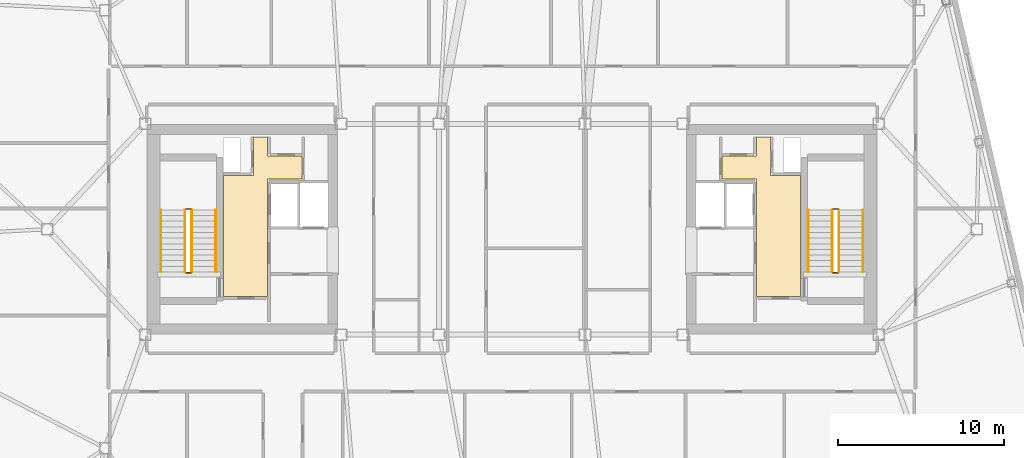
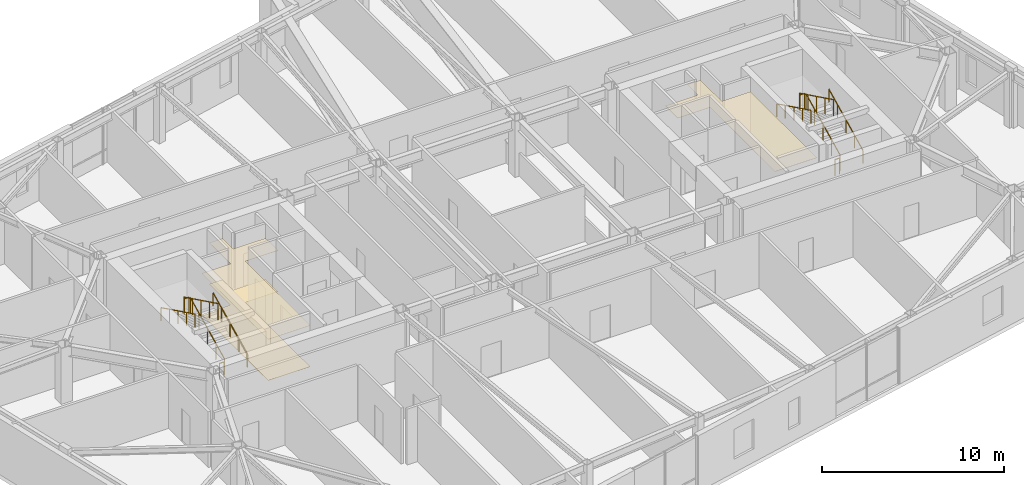
# One storey, part 22 of 22: 12 railings, 3 coverings.
"""IFC4 building model written with IfcOpenShell, lengths in metres."""

from ifc_helpers import new_model, si_unit, direction, frame, origin, origin_2d, place, context, subcontext, project, spatial, polyline, rectangle, outline, extrude, material, layer, layer_set, type_object, element, save


model = new_model("IFC4")

# Units and contexts
model_context = context("Model", 3, precision=1e-05, world=origin(), true_north=direction((0.0, 1.0)))
body_context = subcontext(model_context, "Body", "Model", "MODEL_VIEW")
ifc_project = project(units=[si_unit("LENGTHUNIT", "METRE"), si_unit("AREAUNIT", "SQUARE_METRE"), si_unit("VOLUMEUNIT", "CUBIC_METRE"), si_unit("PLANEANGLEUNIT", "RADIAN"), si_unit("MASSUNIT", "GRAM", prefix="KILO")], contexts=[model_context])

# Site, building, storey
site_placement = place(None, origin())
site = spatial("IfcSite", under=ifc_project, at=site_placement, CompositionType="ELEMENT")
building_placement = place(site_placement, origin())
building = spatial("IfcBuilding", under=site, at=building_placement, Name="Tavrogorsk Clinical Tower", CompositionType="ELEMENT")
storey_placement = place(building_placement, frame((0.0, 0.0, 313.0)))
storey = spatial("IfcBuildingStorey", under=building, at=storey_placement, Name="L73", CompositionType="ELEMENT", Elevation=313.0)

# Coverings
ifc_material_1 = material(Name="Antibacterial micro-perforated aluminium ceiling", Category="aluminium")
ifc_layer_1 = layer(ifc_material_1, 0.014892578125)
ifc_layer_set_1 = layer_set([ifc_layer_1], Name="Antibacterial micro-perforated aluminium ceiling")
covering_type_1 = type_object("IfcCoveringType", Name="ClinicalCeiling_15", PredefinedType="CEILING", material=ifc_layer_set_1)
covering_1_placement = place(storey_placement, frame((0.0, 0.0, 2.75)))
element("IfcCovering", 1, at=covering_1_placement, inside=storey, type_object=covering_type_1, Name="Core West Firefighting Lift Lobby Acoustic Ceiling", PredefinedType="CEILING", context=body_context, shape_type="SweptSolid", body=[
    extrude(outline(polyline([(-17.3798828125, -4.06005859375), (-17.3798828125, 3.239990234375), (-15.56005859375, 3.239990234375), (-15.56005859375, 5.56005859375), (-14.719970703125, 5.56005859375), (-14.719970703125, 4.39990234375), (-12.659912109375, 4.39990234375), (-12.659912109375, 3.0400390625), (-14.719970703125, 3.0400390625), (-14.719970703125, -4.06005859375), (-17.3798828125, -4.06005859375)])), origin(), (0.0, 0.0, 1.0), 0.014892578125),
])
covering_2_placement = place(storey_placement, frame((0.0, 0.0, 2.75)))
element("IfcCovering", 2, at=covering_2_placement, inside=storey, type_object=covering_type_1, Name="Core East Firefighting Lift Lobby Acoustic Ceiling", PredefinedType="CEILING", context=body_context, shape_type="SweptSolid", body=[
    extrude(outline(polyline([(14.719970703125, 3.0400390625), (12.659912109375, 3.0400390625), (12.659912109375, 4.39990234375), (14.719970703125, 4.39990234375), (14.719970703125, 5.56005859375), (15.56005859375, 5.56005859375), (15.56005859375, 3.239990234375), (17.3798828125, 3.239990234375), (17.3798828125, -4.06005859375), (14.719970703125, -4.06005859375), (14.719970703125, 3.0400390625)])), origin(), (0.0, 0.0, 1.0), 0.014892578125),
])
ifc_material_2 = material(Name="Homogeneous medical conductive PVC flooring")
ifc_layer_2 = layer(ifc_material_2, 0.008056640625)
ifc_layer_set_2 = layer_set([ifc_layer_2], Name="Homogeneous medical conductive PVC flooring")
covering_type_2 = type_object("IfcCoveringType", Name="ResilientVinylFloor_8", PredefinedType="FLOORING", material=ifc_layer_set_2)
covering_3_placement = place(storey_placement, origin())
element("IfcCovering", 3, at=covering_3_placement, inside=storey, type_object=covering_type_2, Name="Core West Firefighting Lift Lobby Conductive Vinyl Flooring", PredefinedType="FLOORING", context=body_context, shape_type="SweptSolid", body=[
    extrude(outline(polyline([(-17.3798828125, -4.06005859375), (-17.3798828125, 3.239990234375), (-15.56005859375, 3.239990234375), (-15.56005859375, 5.56005859375), (-14.719970703125, 5.56005859375), (-14.719970703125, 4.39990234375), (-12.659912109375, 4.39990234375), (-12.659912109375, 3.0400390625), (-14.719970703125, 3.0400390625), (-14.719970703125, -4.06005859375), (-17.3798828125, -4.06005859375)])), origin(), (0.0, 0.0, 1.0), 0.008056640625),
])

# Railings
ifc_material_3 = material(Name="Galvanised steel S355 safety stairwell guard", Category="steel")
ifc_layer_3 = layer(ifc_material_3, 0.06005859375)
ifc_layer_set_3 = layer_set([ifc_layer_3], Name="Galvanised steel S355 safety stairwell guard")
railing_type_1 = type_object("IfcRailingType", Name="StairGuard_1150", PredefinedType="GUARDRAIL", material=ifc_layer_set_3)
railing_1_placement = place(storey_placement, frame((-19.300048828125, -2.574951171875, 0.166748046875)))
element("IfcRailing", 4, at=railing_1_placement, inside=storey, type_object=railing_type_1, Name="L73 ST-W stair guard 1", PredefinedType="GUARDRAIL", context=body_context, shape_type="SweptSolid", body=[
    extrude(rectangle(XDim=0.048095703125, YDim=0.048095703125, at=origin_2d()), frame((0.0, 0.0, 1.076171875), z_axis=(0.0, 0.897927990467, 0.440142390523), x_axis=(-1.0, 0.0, 0.0)), (0.0, 0.0, 1.0), 4.1650390625),
    extrude(rectangle(XDim=0.0419921875, YDim=0.0419921875, at=origin_2d()), origin(), (0.0, 0.0, 1.0), 1.052001953125),
    extrude(rectangle(XDim=0.0419921875, YDim=0.0419921875, at=origin_2d()), frame((0.0, 0.93505859375, 0.458251953125)), (0.0, 0.0, 1.0), 1.052001953125),
    extrude(rectangle(XDim=0.0419921875, YDim=0.0419921875, at=origin_2d()), frame((0.0, 1.8701171875, 0.91650390625)), (0.0, 0.0, 1.0), 1.052001953125),
    extrude(rectangle(XDim=0.0419921875, YDim=0.0419921875, at=origin_2d()), frame((0.0, 2.804931640625, 1.375)), (0.0, 0.0, 1.0), 1.052001953125),
    extrude(rectangle(XDim=0.0419921875, YDim=0.0419921875, at=origin_2d()), frame((0.0, 3.739990234375, 1.833251953125)), (0.0, 0.0, 1.0), 1.052001953125),
])
railing_2_placement = place(storey_placement, frame((-19.35009765625, 1.215087890625, 2.0)))
element("IfcRailing", 5, at=railing_2_placement, inside=storey, type_object=railing_type_1, Name="L73 ST-W stair guard 2", PredefinedType="GUARDRAIL", context=body_context, shape_type="SweptSolid", body=[
    extrude(rectangle(XDim=0.048095703125, YDim=0.048095703125, at=origin_2d()), frame((0.0, 0.0, 1.076171875), z_axis=(-1.0, 0.0, 0.0), x_axis=(0.0, -1.0, 0.0)), (0.0, 0.0, 1.0), 0.2998046875),
    extrude(rectangle(XDim=0.0419921875, YDim=0.0419921875, at=origin_2d()), origin(), (0.0, 0.0, 1.0), 1.052001953125),
    extrude(rectangle(XDim=0.0419921875, YDim=0.0419921875, at=origin_2d()), frame((-0.2998046875, 0.0, 0.0)), (0.0, 0.0, 1.0), 1.052001953125),
])
railing_3_placement = place(storey_placement, frame((-19.699951171875, 1.1650390625, 2.166748046875)))
element("IfcRailing", 6, at=railing_3_placement, inside=storey, type_object=railing_type_1, Name="L73 ST-W stair guard 3", PredefinedType="GUARDRAIL", context=body_context, shape_type="SweptSolid", body=[
    extrude(rectangle(XDim=0.048095703125, YDim=0.048095703125, at=origin_2d()), frame((0.0, 0.0, 1.076171875), z_axis=(0.0, -0.897927990467, 0.440142390523), x_axis=(1.0, 0.0, 0.0)), (0.0, 0.0, 1.0), 4.1650390625),
    extrude(rectangle(XDim=0.0419921875, YDim=0.0419921875, at=origin_2d()), origin(), (0.0, 0.0, 1.0), 1.052001953125),
    extrude(rectangle(XDim=0.0419921875, YDim=0.0419921875, at=origin_2d()), frame((0.0, -0.93505859375, 0.458251953125)), (0.0, 0.0, 1.0), 1.052001953125),
    extrude(rectangle(XDim=0.0419921875, YDim=0.0419921875, at=origin_2d()), frame((0.0, -1.8701171875, 0.91650390625)), (0.0, 0.0, 1.0), 1.052001953125),
    extrude(rectangle(XDim=0.0419921875, YDim=0.0419921875, at=origin_2d()), frame((0.0, -2.804931640625, 1.375)), (0.0, 0.0, 1.0), 1.052001953125),
    extrude(rectangle(XDim=0.0419921875, YDim=0.0419921875, at=origin_2d()), frame((0.0, -3.739990234375, 1.833251953125)), (0.0, 0.0, 1.0), 1.052001953125),
])
railing_4_placement = place(storey_placement, frame((-19.35009765625, -2.625, 0.0)))
element("IfcRailing", 7, at=railing_4_placement, inside=storey, type_object=railing_type_1, Name="L73 ST-W stair guard 4", PredefinedType="GUARDRAIL", context=body_context, shape_type="SweptSolid", body=[
    extrude(rectangle(XDim=0.048095703125, YDim=0.048095703125, at=origin_2d()), frame((0.0, 0.0, 1.076171875), z_axis=(-1.0, 0.0, 0.0), x_axis=(0.0, -1.0, 0.0)), (0.0, 0.0, 1.0), 0.2998046875),
    extrude(rectangle(XDim=0.0419921875, YDim=0.0419921875, at=origin_2d()), origin(), (0.0, 0.0, 1.0), 1.052001953125),
    extrude(rectangle(XDim=0.0419921875, YDim=0.0419921875, at=origin_2d()), frame((-0.2998046875, 0.0, 0.0)), (0.0, 0.0, 1.0), 1.052001953125),
])
railing_5_placement = place(storey_placement, frame((19.699951171875, -2.574951171875, 0.166748046875)))
element("IfcRailing", 8, at=railing_5_placement, inside=storey, type_object=railing_type_1, Name="L73 ST-E stair guard 1", PredefinedType="GUARDRAIL", context=body_context, shape_type="SweptSolid", body=[
    extrude(rectangle(XDim=0.048095703125, YDim=0.048095703125, at=origin_2d()), frame((0.0, 0.0, 1.076171875), z_axis=(0.0, 0.897927990467, 0.440142390523), x_axis=(-1.0, 0.0, 0.0)), (0.0, 0.0, 1.0), 4.1650390625),
    extrude(rectangle(XDim=0.0419921875, YDim=0.0419921875, at=origin_2d()), origin(), (0.0, 0.0, 1.0), 1.052001953125),
    extrude(rectangle(XDim=0.0419921875, YDim=0.0419921875, at=origin_2d()), frame((0.0, 0.93505859375, 0.458251953125)), (0.0, 0.0, 1.0), 1.052001953125),
    extrude(rectangle(XDim=0.0419921875, YDim=0.0419921875, at=origin_2d()), frame((0.0, 1.8701171875, 0.91650390625)), (0.0, 0.0, 1.0), 1.052001953125),
    extrude(rectangle(XDim=0.0419921875, YDim=0.0419921875, at=origin_2d()), frame((0.0, 2.804931640625, 1.375)), (0.0, 0.0, 1.0), 1.052001953125),
    extrude(rectangle(XDim=0.0419921875, YDim=0.0419921875, at=origin_2d()), frame((0.0, 3.739990234375, 1.833251953125)), (0.0, 0.0, 1.0), 1.052001953125),
])
railing_6_placement = place(storey_placement, frame((19.64990234375, 1.215087890625, 2.0)))
element("IfcRailing", 9, at=railing_6_placement, inside=storey, type_object=railing_type_1, Name="L73 ST-E stair guard 2", PredefinedType="GUARDRAIL", context=body_context, shape_type="SweptSolid", body=[
    extrude(rectangle(XDim=0.048095703125, YDim=0.048095703125, at=origin_2d()), frame((0.0, 0.0, 1.076171875), z_axis=(-1.0, 0.0, 0.0), x_axis=(0.0, -1.0, 0.0)), (0.0, 0.0, 1.0), 0.2998046875),
    extrude(rectangle(XDim=0.0419921875, YDim=0.0419921875, at=origin_2d()), origin(), (0.0, 0.0, 1.0), 1.052001953125),
    extrude(rectangle(XDim=0.0419921875, YDim=0.0419921875, at=origin_2d()), frame((-0.2998046875, 0.0, 0.0)), (0.0, 0.0, 1.0), 1.052001953125),
])
railing_7_placement = place(storey_placement, frame((19.300048828125, 1.1650390625, 2.166748046875)))
element("IfcRailing", 10, at=railing_7_placement, inside=storey, type_object=railing_type_1, Name="L73 ST-E stair guard 3", PredefinedType="GUARDRAIL", context=body_context, shape_type="SweptSolid", body=[
    extrude(rectangle(XDim=0.048095703125, YDim=0.048095703125, at=origin_2d()), frame((0.0, 0.0, 1.076171875), z_axis=(0.0, -0.897927990467, 0.440142390523), x_axis=(1.0, 0.0, 0.0)), (0.0, 0.0, 1.0), 4.1650390625),
    extrude(rectangle(XDim=0.0419921875, YDim=0.0419921875, at=origin_2d()), origin(), (0.0, 0.0, 1.0), 1.052001953125),
    extrude(rectangle(XDim=0.0419921875, YDim=0.0419921875, at=origin_2d()), frame((0.0, -0.93505859375, 0.458251953125)), (0.0, 0.0, 1.0), 1.052001953125),
    extrude(rectangle(XDim=0.0419921875, YDim=0.0419921875, at=origin_2d()), frame((0.0, -1.8701171875, 0.91650390625)), (0.0, 0.0, 1.0), 1.052001953125),
    extrude(rectangle(XDim=0.0419921875, YDim=0.0419921875, at=origin_2d()), frame((0.0, -2.804931640625, 1.375)), (0.0, 0.0, 1.0), 1.052001953125),
    extrude(rectangle(XDim=0.0419921875, YDim=0.0419921875, at=origin_2d()), frame((0.0, -3.739990234375, 1.833251953125)), (0.0, 0.0, 1.0), 1.052001953125),
])
railing_8_placement = place(storey_placement, frame((19.64990234375, -2.625, 0.0)))
element("IfcRailing", 11, at=railing_8_placement, inside=storey, type_object=railing_type_1, Name="L73 ST-E stair guard 4", PredefinedType="GUARDRAIL", context=body_context, shape_type="SweptSolid", body=[
    extrude(rectangle(XDim=0.048095703125, YDim=0.048095703125, at=origin_2d()), frame((0.0, 0.0, 1.076171875), z_axis=(-1.0, 0.0, 0.0), x_axis=(0.0, -1.0, 0.0)), (0.0, 0.0, 1.0), 0.2998046875),
    extrude(rectangle(XDim=0.0419921875, YDim=0.0419921875, at=origin_2d()), origin(), (0.0, 0.0, 1.0), 1.052001953125),
    extrude(rectangle(XDim=0.0419921875, YDim=0.0419921875, at=origin_2d()), frame((-0.2998046875, 0.0, 0.0)), (0.0, 0.0, 1.0), 1.052001953125),
])
ifc_material_4 = material(Name="Stainless steel AISI 304 tubular handrail", Category="steel")
ifc_layer_4 = layer(ifc_material_4, 0.050048828125)
ifc_layer_set_4 = layer_set([ifc_layer_4], Name="Stainless steel AISI 304 tubular handrail")
railing_type_2 = type_object("IfcRailingType", Name="StairHandrail_920", PredefinedType="HANDRAIL", material=ifc_layer_set_4)
railing_9_placement = place(storey_placement, frame((-17.85009765625, -2.574951171875, 0.166748046875)))
element("IfcRailing", 12, at=railing_9_placement, inside=storey, type_object=railing_type_2, Name="L73 ST-W stair handrail 1", PredefinedType="HANDRAIL", context=body_context, shape_type="SweptSolid", body=[
    extrude(rectangle(XDim=0.048095703125, YDim=0.048095703125, at=origin_2d()), frame((0.0, 0.0, 0.8759765625), z_axis=(0.0, 0.897927990467, 0.440142390523), x_axis=(-1.0, 0.0, 0.0)), (0.0, 0.0, 1.0), 4.1650390625),
    extrude(rectangle(XDim=0.0419921875, YDim=0.0419921875, at=origin_2d()), origin(), (0.0, 0.0, 1.0), 0.851806640625),
    extrude(rectangle(XDim=0.0419921875, YDim=0.0419921875, at=origin_2d()), frame((0.0, 0.93505859375, 0.458251953125)), (0.0, 0.0, 1.0), 0.851806640625),
    extrude(rectangle(XDim=0.0419921875, YDim=0.0419921875, at=origin_2d()), frame((0.0, 1.8701171875, 0.91650390625)), (0.0, 0.0, 1.0), 0.851806640625),
    extrude(rectangle(XDim=0.0419921875, YDim=0.0419921875, at=origin_2d()), frame((0.0, 2.804931640625, 1.375)), (0.0, 0.0, 1.0), 0.851806640625),
    extrude(rectangle(XDim=0.0419921875, YDim=0.0419921875, at=origin_2d()), frame((0.0, 3.739990234375, 1.833251953125)), (0.0, 0.0, 1.0), 0.851806640625),
])
railing_10_placement = place(storey_placement, frame((-21.14990234375, 1.1650390625, 2.166748046875)))
element("IfcRailing", 13, at=railing_10_placement, inside=storey, type_object=railing_type_2, Name="L73 ST-W stair handrail 2", PredefinedType="HANDRAIL", context=body_context, shape_type="SweptSolid", body=[
    extrude(rectangle(XDim=0.048095703125, YDim=0.048095703125, at=origin_2d()), frame((0.0, 0.0, 0.8759765625), z_axis=(0.0, -0.897927990467, 0.440142390523), x_axis=(1.0, 0.0, 0.0)), (0.0, 0.0, 1.0), 4.1650390625),
    extrude(rectangle(XDim=0.0419921875, YDim=0.0419921875, at=origin_2d()), origin(), (0.0, 0.0, 1.0), 0.851806640625),
    extrude(rectangle(XDim=0.0419921875, YDim=0.0419921875, at=origin_2d()), frame((0.0, -0.93505859375, 0.458251953125)), (0.0, 0.0, 1.0), 0.851806640625),
    extrude(rectangle(XDim=0.0419921875, YDim=0.0419921875, at=origin_2d()), frame((0.0, -1.8701171875, 0.91650390625)), (0.0, 0.0, 1.0), 0.851806640625),
    extrude(rectangle(XDim=0.0419921875, YDim=0.0419921875, at=origin_2d()), frame((0.0, -2.804931640625, 1.375)), (0.0, 0.0, 1.0), 0.851806640625),
    extrude(rectangle(XDim=0.0419921875, YDim=0.0419921875, at=origin_2d()), frame((0.0, -3.739990234375, 1.833251953125)), (0.0, 0.0, 1.0), 0.851806640625),
])
railing_11_placement = place(storey_placement, frame((21.14990234375, -2.574951171875, 0.166748046875)))
element("IfcRailing", 14, at=railing_11_placement, inside=storey, type_object=railing_type_2, Name="L73 ST-E stair handrail 1", PredefinedType="HANDRAIL", context=body_context, shape_type="SweptSolid", body=[
    extrude(rectangle(XDim=0.048095703125, YDim=0.048095703125, at=origin_2d()), frame((0.0, 0.0, 0.8759765625), z_axis=(0.0, 0.897927990467, 0.440142390523), x_axis=(-1.0, 0.0, 0.0)), (0.0, 0.0, 1.0), 4.1650390625),
    extrude(rectangle(XDim=0.0419921875, YDim=0.0419921875, at=origin_2d()), origin(), (0.0, 0.0, 1.0), 0.851806640625),
    extrude(rectangle(XDim=0.0419921875, YDim=0.0419921875, at=origin_2d()), frame((0.0, 0.93505859375, 0.458251953125)), (0.0, 0.0, 1.0), 0.851806640625),
    extrude(rectangle(XDim=0.0419921875, YDim=0.0419921875, at=origin_2d()), frame((0.0, 1.8701171875, 0.91650390625)), (0.0, 0.0, 1.0), 0.851806640625),
    extrude(rectangle(XDim=0.0419921875, YDim=0.0419921875, at=origin_2d()), frame((0.0, 2.804931640625, 1.375)), (0.0, 0.0, 1.0), 0.851806640625),
    extrude(rectangle(XDim=0.0419921875, YDim=0.0419921875, at=origin_2d()), frame((0.0, 3.739990234375, 1.833251953125)), (0.0, 0.0, 1.0), 0.851806640625),
])
railing_12_placement = place(storey_placement, frame((17.85009765625, 1.1650390625, 2.166748046875)))
element("IfcRailing", 15, at=railing_12_placement, inside=storey, type_object=railing_type_2, Name="L73 ST-E stair handrail 2", PredefinedType="HANDRAIL", context=body_context, shape_type="SweptSolid", body=[
    extrude(rectangle(XDim=0.048095703125, YDim=0.048095703125, at=origin_2d()), frame((0.0, 0.0, 0.8759765625), z_axis=(0.0, -0.897927990467, 0.440142390523), x_axis=(1.0, 0.0, 0.0)), (0.0, 0.0, 1.0), 4.1650390625),
    extrude(rectangle(XDim=0.0419921875, YDim=0.0419921875, at=origin_2d()), origin(), (0.0, 0.0, 1.0), 0.851806640625),
    extrude(rectangle(XDim=0.0419921875, YDim=0.0419921875, at=origin_2d()), frame((0.0, -0.93505859375, 0.458251953125)), (0.0, 0.0, 1.0), 0.851806640625),
    extrude(rectangle(XDim=0.0419921875, YDim=0.0419921875, at=origin_2d()), frame((0.0, -1.8701171875, 0.91650390625)), (0.0, 0.0, 1.0), 0.851806640625),
    extrude(rectangle(XDim=0.0419921875, YDim=0.0419921875, at=origin_2d()), frame((0.0, -2.804931640625, 1.375)), (0.0, 0.0, 1.0), 0.851806640625),
    extrude(rectangle(XDim=0.0419921875, YDim=0.0419921875, at=origin_2d()), frame((0.0, -3.739990234375, 1.833251953125)), (0.0, 0.0, 1.0), 0.851806640625),
])

save(model, "model.ifc")
